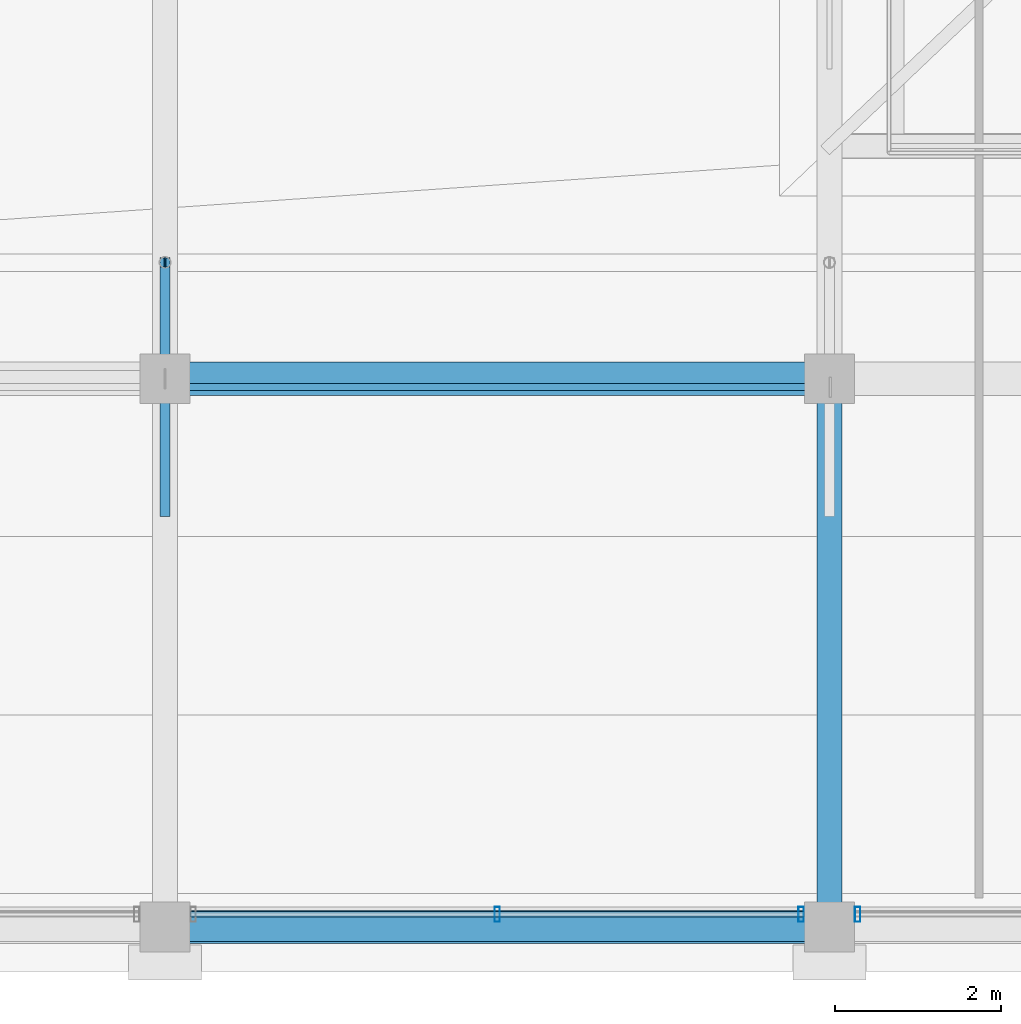
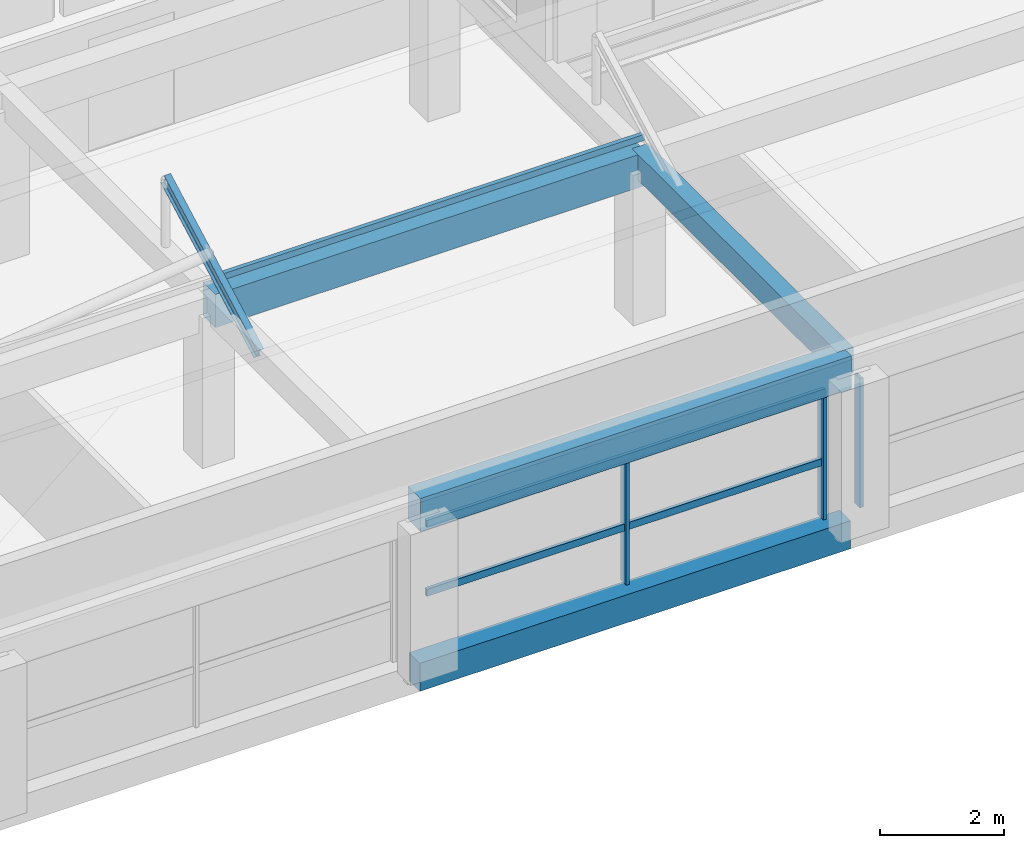
# One storey, part 6 of 39: 7 members, 4 beams, 2 elements without a shape of their own.
"""IFC4 building model written with IfcOpenShell, lengths in metres."""

from ifc_helpers import new_model, si_unit, direction, frame, origin, origin_2d, place, context, subcontext, project, spatial, rectangle, hollow_rectangle, i_section, extrude, material, material_profile, profile_set, type_object, element, aggregate, save


model = new_model("IFC4")

# Units and contexts
model_context = context("Model", 3, precision=1e-05, world=origin(), true_north=direction((0.0, 1.0)))
body_context = subcontext(model_context, "Body", "Model", "MODEL_VIEW")
ifc_project = project(units=[si_unit("LENGTHUNIT", "METRE"), si_unit("AREAUNIT", "SQUARE_METRE"), si_unit("VOLUMEUNIT", "CUBIC_METRE"), si_unit("PLANEANGLEUNIT", "RADIAN"), si_unit("MASSUNIT", "GRAM", prefix="KILO")], contexts=[model_context])

# Site, building, storey
site_placement = place(None, origin())
site = spatial("IfcSite", under=ifc_project, at=site_placement, CompositionType="ELEMENT")
building_placement = place(site_placement, origin())
building = spatial("IfcBuilding", under=site, at=building_placement, Name="Akrevak Sports Hall", CompositionType="ELEMENT")
storey_placement = place(building_placement, frame((0.0, 0.0, 66.550048828125)))
storey = spatial("IfcBuildingStorey", under=building, at=storey_placement, Name="L17", CompositionType="ELEMENT", Elevation=66.550048828125)

# Curtain wall, members
ifc_material_1 = material(Name="Anodized Bronze Aluminium & Low-E Glass", Category="aluminium")
curtain_wall_type = type_object("IfcCurtainWallType", Name="ARC-CW-TWR-68x30", PredefinedType="NOTDEFINED", material=ifc_material_1)
curtain_wall_1_placement = place(storey_placement, origin())
curtain_wall_1 = element("IfcCurtainWall", 1, at=curtain_wall_1_placement, inside=storey, type_object=curtain_wall_type, Name="Curtain Wall CW-L17-S03", PredefinedType="NOTDEFINED")
ifc_material_2 = material(Name="Anodized Bronze Aluminium", Category="aluminium")
ifc_material_profile_1 = material_profile(ifc_material_2, hollow_rectangle(XDim=0.06494140625, YDim=0.179931640625, WallThickness=0.00390625, at=origin_2d()), Name="CWM 65x180", Category="aluminium")
ifc_profile_set_1 = profile_set([ifc_material_profile_1], Name="Anodized Bronze Aluminium")
member_type_1 = type_object("IfcMemberType", Name="ARC-CWM-65x140", PredefinedType="MULLION", material=ifc_profile_set_1)
member_1_placement = place(storey_placement, frame((72.0, 35.550048828125, 0.0), z_axis=(0.0, 0.0, 1.0), x_axis=(1.0, 0.0, 0.0)))
member_1 = element("IfcMember", 2, at=member_1_placement, type_object=member_type_1, Name="Curtain Wall Mullion CW-L17-S03-M2", PredefinedType="MULLION", context=body_context, shape_type="SweptSolid", body=[
    extrude(hollow_rectangle(XDim=0.06494140625, YDim=0.179931640625, WallThickness=0.00390625, at=origin_2d()), origin(), (0.0, 0.0, 1.0), 2.530029296875),
])
member_2_placement = place(storey_placement, frame((75.659912109375, 35.550048828125, 0.0), z_axis=(0.0, 0.0, 1.0), x_axis=(1.0, 0.0, 0.0)))
member_2 = element("IfcMember", 3, at=member_2_placement, type_object=member_type_1, Name="Curtain Wall Mullion CW-L17-S03-M3", PredefinedType="MULLION", context=body_context, shape_type="SweptSolid", body=[
    extrude(hollow_rectangle(XDim=0.06494140625, YDim=0.179931640625, WallThickness=0.00390625, at=origin_2d()), origin(), (0.0, 0.0, 1.0), 2.530029296875),
])

# Curtain wall, member
curtain_wall_2_placement = place(storey_placement, origin())
curtain_wall_2 = element("IfcCurtainWall", 4, at=curtain_wall_2_placement, inside=storey, type_object=curtain_wall_type, Name="Curtain Wall CW-L17-S04", PredefinedType="NOTDEFINED")
member_3_placement = place(storey_placement, frame((76.340087890625, 35.550048828125, 0.0), z_axis=(0.0, 0.0, 1.0), x_axis=(1.0, 0.0, 0.0)))
member_3 = element("IfcMember", 5, at=member_3_placement, type_object=member_type_1, Name="Curtain Wall Mullion CW-L17-S04-M1", PredefinedType="MULLION", context=body_context, shape_type="SweptSolid", body=[
    extrude(hollow_rectangle(XDim=0.06494140625, YDim=0.179931640625, WallThickness=0.00390625, at=origin_2d()), origin(), (0.0, 0.0, 1.0), 2.530029296875),
])
aggregate(curtain_wall_2, [member_3])

# Member
ifc_material_profile_2 = material_profile(ifc_material_2, hollow_rectangle(XDim=0.06494140625, YDim=0.139892578125, WallThickness=0.00390625, at=origin_2d()), Name="CWT 65x140", Category="aluminium")
ifc_profile_set_2 = profile_set([ifc_material_profile_2], Name="Anodized Bronze Aluminium")
member_type_2 = type_object("IfcMemberType", Name="ARC-CWT-65x110", PredefinedType="USERDEFINED", material=ifc_profile_set_2)
member_4_placement = place(storey_placement, frame((68.300048828125, 35.550048828125, 1.099853515625), z_axis=(1.0, 0.0, 0.0), x_axis=(0.0, 1.0, 0.0)))
member_4 = element("IfcMember", 6, at=member_4_placement, type_object=member_type_2, Name="Curtain Wall Transom CW-L17-S03-T1", ObjectType="TRANSOM", PredefinedType="USERDEFINED", context=body_context, shape_type="SweptSolid", body=[
    extrude(hollow_rectangle(XDim=0.06494140625, YDim=0.139892578125, WallThickness=0.00390625, at=origin_2d()), origin(), (0.0, 0.0, 1.0), 7.39990234375),
])

member_5_placement = place(storey_placement, frame((68.300048828125, 35.550048828125, 2.449951171875), z_axis=(1.0, 0.0, 0.0), x_axis=(0.0, 1.0, 0.0)))
member_5 = element("IfcMember", 7, at=member_5_placement, type_object=member_type_2, Name="Curtain Wall Transom CW-L17-S03-T2", ObjectType="TRANSOM", PredefinedType="USERDEFINED", context=body_context, shape_type="SweptSolid", body=[
    extrude(hollow_rectangle(XDim=0.06494140625, YDim=0.139892578125, WallThickness=0.00390625, at=origin_2d()), origin(), (0.0, 0.0, 1.0), 7.39990234375),
])

aggregate(curtain_wall_1, [member_1, member_2, member_4, member_5])

# Beams
ifc_material_3 = material(Name="Concrete C40/50", Category="concrete")
ifc_material_profile_3 = material_profile(ifc_material_3, rectangle(XDim=0.300048828125, YDim=0.5, at=origin_2d()), Name="BM 300x500", Category="concrete")
ifc_profile_set_3 = profile_set([ifc_material_profile_3], Name="Concrete C40/50")
beam_type_1 = type_object("IfcBeamType", Name="STR-BM-RC300x500", PredefinedType="BEAM", material=ifc_profile_set_3)
beam_1_placement = place(storey_placement, frame((76.0, 35.39990234375, 3.0), z_axis=(0.0, 1.0, 0.0), x_axis=(-1.0, 0.0, 0.0)))
element("IfcBeam", 8, at=beam_1_placement, inside=storey, type_object=beam_type_1, Name="Girder 11/F-G (ROOF)", PredefinedType="BEAM", context=body_context, shape_type="SweptSolid", body=[
    extrude(rectangle(XDim=0.300048828125, YDim=0.5, at=origin_2d()), origin(), (0.0, 0.0, 1.0), 6.60009765625),
])
ifc_material_profile_4 = material_profile(ifc_material_3, rectangle(XDim=0.35009765625, YDim=0.550048828125, at=origin_2d()), Name="BM 350x550", Category="concrete")
ifc_profile_set_4 = profile_set([ifc_material_profile_4], Name="Concrete C40/50")
beam_type_2 = type_object("IfcBeamType", Name="STR-BM-RC350x550", PredefinedType="BEAM", material=ifc_profile_set_4)
beam_2_placement = place(storey_placement, frame((68.0, 35.39990234375, -0.275146484375), z_axis=(1.0, 0.0, 0.0), x_axis=(0.0, 1.0, 0.0)))
element("IfcBeam", 9, at=beam_2_placement, inside=storey, type_object=beam_type_2, Name="Girder F/10-11 (L17)", PredefinedType="BEAM", context=body_context, shape_type="SweptSolid", body=[
    extrude(rectangle(XDim=0.35009765625, YDim=0.550048828125, at=origin_2d()), origin(), (0.0, 0.0, 1.0), 8.0),
])
ifc_material_profile_5 = material_profile(ifc_material_3, rectangle(XDim=0.39990234375, YDim=0.64990234375, at=origin_2d()), Name="BM 400x650", Category="concrete")
ifc_profile_set_5 = profile_set([ifc_material_profile_5], Name="Concrete C40/50")
beam_type_3 = type_object("IfcBeamType", Name="STR-BM-RC400x650", PredefinedType="BEAM", material=ifc_profile_set_5)
for number, where, z_axis, x_axis, name in (
    (10, (68.0, 35.39990234375, 2.925048828125), (1.0, 0.0, 0.0), (0.0, 1.0, 0.0), "Girder F/10-11 (ROOF)"),
    (11, (68.0, 42.0, 2.925048828125), (1.0, 0.0, 0.0), (0.0, 1.0, 0.0), "Girder G/10-11 (ROOF)"),
):
    element("IfcBeam", number, at=place(storey_placement, frame(where, z_axis=z_axis, x_axis=x_axis)), inside=storey, type_object=beam_type_3, Name=name, PredefinedType="BEAM", context=body_context, shape_type="SweptSolid", body=[
        extrude(rectangle(XDim=0.39990234375, YDim=0.64990234375, at=origin_2d()), origin(), (0.0, 0.0, 1.0), 8.0),
    ])

# Members
ifc_material_4 = material(Name="Steel S355", Category="steel")
ifc_material_profile_6 = material_profile(ifc_material_4, hollow_rectangle(XDim=0.080078125, YDim=0.1201171875, WallThickness=0.00634765625, at=origin_2d()), Name="RHS 120x80x6.3", Category="steel")
ifc_profile_set_6 = profile_set([ifc_material_profile_6], Name="Steel S355")
member_type_3 = type_object("IfcMemberType", Name="STR-MEM-PUR-RHS120", PredefinedType="PURLIN", material=ifc_profile_set_6)
member_6_placement = place(storey_placement, frame((68.0, 41.89990234375, 3.5), z_axis=(1.0, 0.0, 0.0), x_axis=(0.0, 1.0, 0.0)))
element("IfcMember", 12, at=member_6_placement, inside=storey, type_object=member_type_3, Name="Mansard Steel Purlin MANS-W-S-B", PredefinedType="PURLIN", context=body_context, shape_type="SweptSolid", body=[
    extrude(hollow_rectangle(XDim=0.080078125, YDim=0.1201171875, WallThickness=0.00634765625, at=origin_2d()), origin(), (0.0, 0.0, 1.0), 8.0),
])
ifc_material_profile_7 = material_profile(ifc_material_4, i_section(OverallWidth=0.1201171875, OverallDepth=0.239990234375, WebThickness=0.006103515625, FlangeThickness=0.009765625, FilletRadius=0.014892578125, at=origin_2d()), Name="IPE 240", Category="steel")
ifc_profile_set_7 = profile_set([ifc_material_profile_7], Name="Steel S355")
member_type_4 = type_object("IfcMemberType", Name="STR-MEM-RAF-IPE240", PredefinedType="RAFTER", material=ifc_profile_set_7)
member_7_placement = place(storey_placement, frame((68.0, 40.39990234375, 2.949951171875), z_axis=(0.0, 0.879891027325, 0.475175525499), x_axis=(-1.0, 0.0, 0.0)))
element("IfcMember", 13, at=member_7_placement, inside=storey, type_object=member_type_4, Name="Mansard Steel Rafter MANS-W-S-68", PredefinedType="RAFTER", context=body_context, shape_type="SweptSolid", body=[
    extrude(i_section(OverallWidth=0.1201171875, OverallDepth=0.239990234375, WebThickness=0.006103515625, FlangeThickness=0.009765625, FilletRadius=0.014892578125, at=origin_2d()), origin(), (0.0, 0.0, 1.0), 3.409423828125),
])

save(model, "model.ifc")
